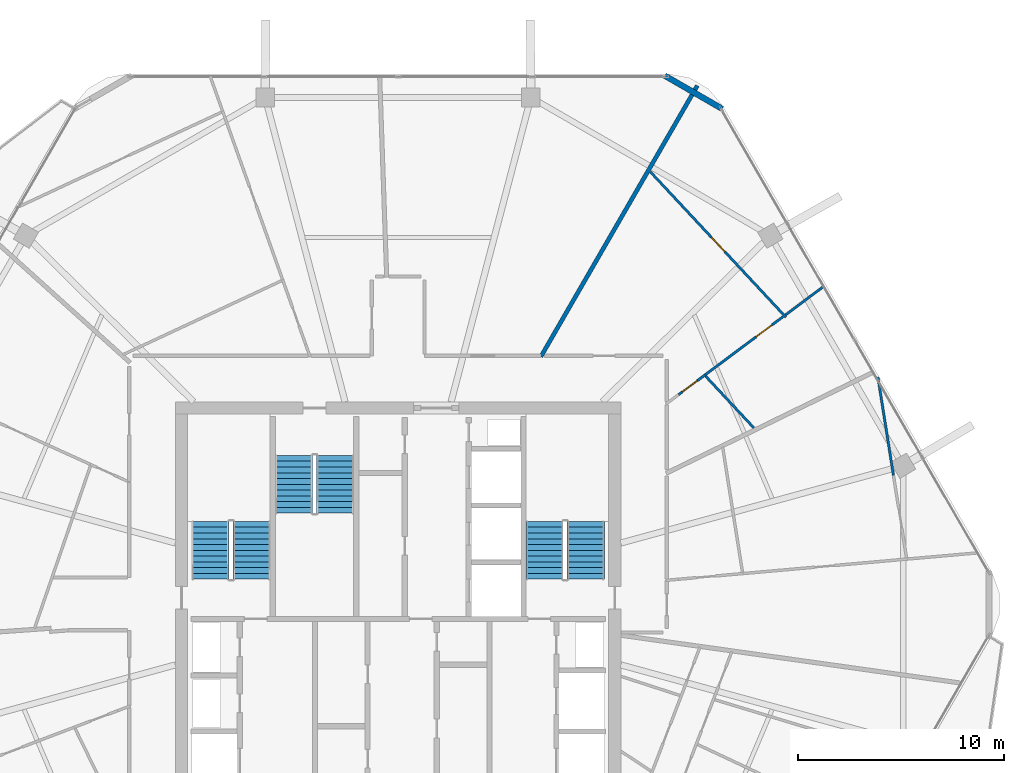
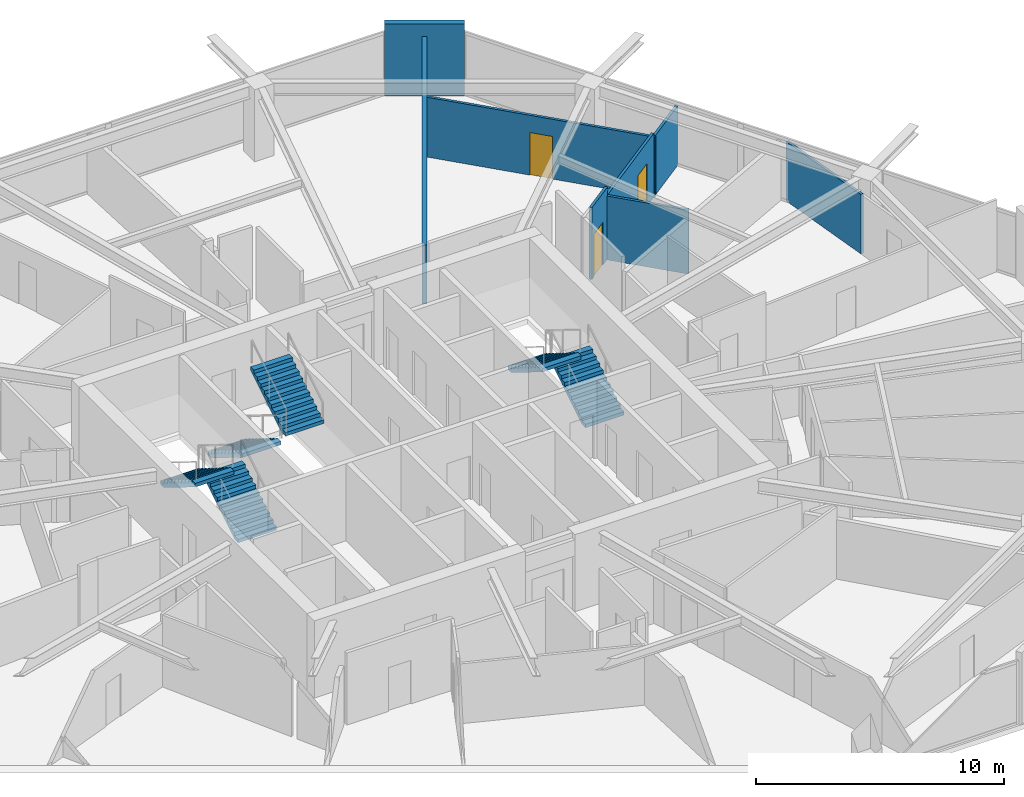
# One storey, part 22 of 25: 8 walls, 6 stair flights, 3 doors, 3 openings, 3 elements without a shape of their own.
"""IFC4 building model written with IfcOpenShell, lengths in metres."""

from ifc_helpers import new_model, si_unit, direction, frame, frame_2d, origin, place, context, subcontext, project, spatial, polyline, rectangle, outline, extrude, material, layer, layer_set, type_object, element, fill, aggregate, save


model = new_model("IFC4")

# Units and contexts
model_context = context("Model", 3, precision=1e-05, world=origin(), true_north=direction((0.0, 1.0)))
body_context = subcontext(model_context, "Body", "Model", "MODEL_VIEW")
ifc_project = project(units=[si_unit("LENGTHUNIT", "METRE"), si_unit("AREAUNIT", "SQUARE_METRE"), si_unit("VOLUMEUNIT", "CUBIC_METRE"), si_unit("PLANEANGLEUNIT", "RADIAN"), si_unit("MASSUNIT", "GRAM", prefix="KILO")], contexts=[model_context])

# Site, building, storey
site_placement = place(None, origin())
site = spatial("IfcSite", under=ifc_project, at=site_placement, CompositionType="ELEMENT")
building_placement = place(site_placement, origin())
building = spatial("IfcBuilding", under=site, at=building_placement, Name="Zuhravey Tower", CompositionType="ELEMENT")
storey_placement = place(building_placement, frame((0.0, 0.0, 235.0)))
storey = spatial("IfcBuildingStorey", under=building, at=storey_placement, Name="L59", CompositionType="ELEMENT", Elevation=235.0)

# Walls
ifc_material_1 = material(Name="Precast concrete C40/50", Category="concrete")
ifc_layer_1 = layer(ifc_material_1, 0.280029296875)
ifc_layer_set_1 = layer_set([ifc_layer_1], Name="Precast concrete C40/50")
wall_type_1 = type_object("IfcWallType", Name="Crown Architectural Wall 280", PredefinedType="SOLIDWALL", material=ifc_layer_set_1)
wall_1_placement = place(storey_placement, frame((48.930419921875, 57.611083984375, 0.0), z_axis=(0.0, 0.0, 1.0), x_axis=(0.866028773314, -0.499994163758, 0.0)))
element("IfcWall", 1, at=wall_1_placement, inside=storey, type_object=wall_type_1, Name="L59 Rounded Corner Closure Wall EW28-10", PredefinedType="SOLIDWALL", context=body_context, shape_type="SweptSolid", body=[
    extrude(rectangle(XDim=3.21484375, YDim=0.280029296875, at=frame_2d((1.607421875, 0.0))), origin(), (0.0, 0.0, 1.0), 3.550048828125),
])
ifc_material_2 = material(Name="Gypsum double-stud party assembly")
ifc_layer_2 = layer(ifc_material_2, 0.199951171875)
ifc_layer_set_2 = layer_set([ifc_layer_2], Name="Gypsum double-stud party assembly")
wall_type_2 = type_object("IfcWallType", Name="Inter-Tenancy Party Wall 200", PredefinedType="PARTITIONING", material=ifc_layer_set_2)
wall_2_placement = place(storey_placement, frame((42.92236328125, 43.989990234375, 0.0), z_axis=(0.0, 0.0, 1.0), x_axis=(0.500001103527, 0.866024766662, 0.0)))
element("IfcWall", 2, at=wall_2_placement, inside=storey, type_object=wall_type_2, Name="L59 IW20 Partition 093", PredefinedType="PARTITIONING", context=body_context, shape_type="SweptSolid", body=[
    extrude(rectangle(XDim=15.16845703125, YDim=0.199951171875, at=frame_2d((7.584228515625, 0.0))), origin(), (0.0, 0.0, 1.0), 2.929931640625),
])

# Wall, opening, door
ifc_material_3 = material(Name="Gypsum metal-stud partition")
ifc_layer_3 = layer(ifc_material_3, 0.1201171875)
ifc_layer_set_3 = layer_set([ifc_layer_3], Name="Gypsum metal-stud partition")
wall_type_3 = type_object("IfcWallType", Name="Unit Internal Partition 120", PredefinedType="PARTITIONING", material=ifc_layer_set_3)
wall_3_placement = place(storey_placement, frame((54.80029296875, 45.90380859375, 0.0), z_axis=(0.0, 0.0, 1.0), x_axis=(-0.68198067204, 0.731370195567, 0.0)))
wall_3 = element("IfcWall", 3, at=wall_3_placement, inside=storey, type_object=wall_type_3, Name="L59 IW12 Partition 048", PredefinedType="PARTITIONING", context=body_context, shape_type="SweptSolid", body=[
    extrude(rectangle(XDim=9.63916015625, YDim=0.1201171875, at=frame_2d((4.819580078125, 0.0))), origin(), (0.0, 0.0, 1.0), 2.949951171875),
])
opening_1_placement = place(wall_3_placement, frame((4.344482421875, 0.0, 0.0)))
opening_1 = element("IfcOpeningElement", 4, at=opening_1_placement, cuts=wall_3, Name="Opening IND1", PredefinedType="OPENING", context=body_context, shape_type="SweptSolid", body=[
    extrude(rectangle(XDim=0.949951171875, YDim=2.10009765625, at=frame_2d((0.47509765625, 1.050048828125))), frame((0.0, 0.072021484375, 0.0), z_axis=(0.0, -1.0, 0.0), x_axis=(1.0, 0.0, 0.0)), (0.0, 0.0, 1.0), 0.14404296875),
])
ifc_material_4 = material(Name="Painted engineered timber leaf", Category="wood")
door_type_1 = type_object("IfcDoorType", Name="Internal Room & Bedroom Door 950x2100", OperationType="NOTDEFINED", PredefinedType="DOOR", material=ifc_material_4)
door_1_placement = place(opening_1_placement, frame((0.949951171875, 0.0, 0.0), z_axis=(0.0, 0.0, 1.0), x_axis=(-1.0, 0.0, 0.0)))
door_1 = element("IfcDoor", 5, at=door_1_placement, inside=storey, type_object=door_type_1, Name="Apartment L59-08 Family Study Door", OperationType="SINGLE_SWING_RIGHT", OverallHeight=2.10009765625, OverallWidth=0.949951171875, PredefinedType="DOOR", context=body_context, shape_type="SweptSolid", body=[
    extrude(rectangle(XDim=0.949951171875, YDim=2.10009765625, at=frame_2d((0.47509765625, 1.050048828125))), frame((0.0, 0.02490234375, 0.0), z_axis=(0.0, -1.0, 0.0), x_axis=(1.0, 0.0, 0.0)), (0.0, 0.0, 1.0), 0.050048828125),
])
fill(opening_1, door_1)

wall_4_placement = place(storey_placement, frame((49.60009765625, 42.148193359375, 0.0), z_axis=(0.0, 0.0, 1.0), x_axis=(0.801441831829, 0.598072729854, 0.0)))
wall_4 = element("IfcWall", 6, at=wall_4_placement, inside=storey, type_object=wall_type_3, Name="L59 IW12 Partition 049", PredefinedType="PARTITIONING", context=body_context, shape_type="SweptSolid", body=[
    extrude(rectangle(XDim=1.6025390625, YDim=0.1201171875, at=frame_2d((0.80126953125, 0.0))), origin(), (0.0, 0.0, 1.0), 3.550048828125),
])
opening_2_placement = place(wall_4_placement, frame((0.22314453125, 0.0, 0.0)))
opening_2 = element("IfcOpeningElement", 7, at=opening_2_placement, cuts=wall_4, Name="Opening WCD1", PredefinedType="OPENING", context=body_context, shape_type="SweptSolid", body=[
    extrude(rectangle(XDim=0.89990234375, YDim=2.10009765625, at=frame_2d((0.449951171875, 1.050048828125))), frame((0.0, 0.072021484375, 0.0), z_axis=(0.0, -1.0, 0.0), x_axis=(1.0, 0.0, 0.0)), (0.0, 0.0, 1.0), 0.14404296875),
])
ifc_material_5 = material(Name="Moisture-resistant timber leaf", Category="wood")
door_type_2 = type_object("IfcDoorType", Name="Bathroom & WC Internal Door 900x2100", OperationType="NOTDEFINED", PredefinedType="DOOR", material=ifc_material_5)
door_2_placement = place(opening_2_placement, frame((0.89990234375, 0.0, 0.0), z_axis=(0.0, 0.0, 1.0), x_axis=(-1.0, 0.0, 0.0)))
door_2 = element("IfcDoor", 8, at=door_2_placement, inside=storey, type_object=door_type_2, Name="Apartment L59-08 Bathroom Door", OperationType="SINGLE_SWING_LEFT", OverallHeight=2.10009765625, OverallWidth=0.89990234375, PredefinedType="DOOR", context=body_context, shape_type="SweptSolid", body=[
    extrude(rectangle(XDim=0.89990234375, YDim=2.10009765625, at=frame_2d((0.449951171875, 1.050048828125))), frame((0.0, 0.02490234375, 0.0), z_axis=(0.0, -1.0, 0.0), x_axis=(1.0, 0.0, 0.0)), (0.0, 0.0, 1.0), 0.050048828125),
])
fill(opening_2, door_2)

wall_5_placement = place(storey_placement, frame((50.884521484375, 43.106689453125, 0.0), z_axis=(0.0, 0.0, 1.0), x_axis=(0.801471130314, 0.598033466684, 0.0)))
wall_5 = element("IfcWall", 9, at=wall_5_placement, inside=storey, type_object=wall_type_3, Name="L59 IW12 Partition 050", PredefinedType="PARTITIONING", context=body_context, shape_type="SweptSolid", body=[
    extrude(rectangle(XDim=4.73193359375, YDim=0.1201171875, at=frame_2d((2.365966796875, 0.0))), origin(), (0.0, 0.0, 1.0), 3.14990234375),
])
opening_3_placement = place(wall_5_placement, frame((3.087158203125, 0.0, 0.0)))
opening_3 = element("IfcOpeningElement", 10, at=opening_3_placement, cuts=wall_5, Name="Opening IND1", PredefinedType="OPENING", context=body_context, shape_type="SweptSolid", body=[
    extrude(rectangle(XDim=0.949951171875, YDim=2.10009765625, at=frame_2d((0.47509765625, 1.050048828125))), frame((0.0, 0.072021484375, 0.0), z_axis=(0.0, -1.0, 0.0), x_axis=(1.0, 0.0, 0.0)), (0.0, 0.0, 1.0), 0.14404296875),
])
door_3_placement = place(opening_3_placement, frame((0.949951171875, 0.0, 0.0), z_axis=(0.0, 0.0, 1.0), x_axis=(-1.0, 0.0, 0.0)))
door_3 = element("IfcDoor", 11, at=door_3_placement, inside=storey, type_object=door_type_1, Name="Apartment L59-08 Bedroom 1 Door", OperationType="SINGLE_SWING_RIGHT", OverallHeight=2.10009765625, OverallWidth=0.949951171875, PredefinedType="DOOR", context=body_context, shape_type="SweptSolid", body=[
    extrude(rectangle(XDim=0.949951171875, YDim=2.10009765625, at=frame_2d((0.47509765625, 1.050048828125))), frame((0.0, 0.02490234375, 0.0), z_axis=(0.0, -1.0, 0.0), x_axis=(1.0, 0.0, 0.0)), (0.0, 0.0, 1.0), 0.050048828125),
])
fill(opening_3, door_3)

# Walls
wall_6_placement = place(storey_placement, frame((54.78662109375, 46.018310546875, 0.0), z_axis=(0.0, 0.0, 1.0), x_axis=(0.801420991662, 0.598100655511, 0.0)))
element("IfcWall", 12, at=wall_6_placement, inside=storey, type_object=wall_type_3, Name="L59 IW12 Partition 051", PredefinedType="PARTITIONING", context=body_context, shape_type="SweptSolid", body=[
    extrude(rectangle(XDim=2.305419921875, YDim=0.1201171875, at=frame_2d((1.15283203125, 0.0))), origin(), (0.0, 0.0, 1.0), 2.929931640625),
])
wall_7_placement = place(storey_placement, frame((60.014404296875, 38.239501953125, 0.0), z_axis=(0.0, 0.0, 1.0), x_axis=(-0.15641529171, 0.987691377162, 0.0)))
element("IfcWall", 13, at=wall_7_placement, inside=storey, type_object=wall_type_3, Name="L59 IW12 Partition 089", PredefinedType="PARTITIONING", context=body_context, shape_type="SweptSolid", body=[
    extrude(rectangle(XDim=4.818359375, YDim=0.1201171875, at=frame_2d((2.4091796875, 0.0))), origin(), (0.0, 0.0, 1.0), 2.929931640625),
])
wall_8_placement = place(storey_placement, frame((53.249755859375, 40.533447265625, 0.0), z_axis=(0.0, 0.0, 1.0), x_axis=(-0.682008737139, 0.731344024701, 0.0)))
element("IfcWall", 14, at=wall_8_placement, inside=storey, type_object=wall_type_3, Name="L59 IW12 Partition 092", PredefinedType="PARTITIONING", context=body_context, shape_type="SweptSolid", body=[
    extrude(rectangle(XDim=3.429443359375, YDim=0.1201171875, at=frame_2d((1.71484375, 0.0))), origin(), (0.0, 0.0, 1.0), 3.14990234375),
])

# Stair, stair flights
ifc_material_6 = material(Name="Concrete C40/50", Category="concrete")
stair_type = type_object("IfcStairType", Name="Housing Storey Stair Assembly 3800", PredefinedType="HALF_TURN_STAIR", material=ifc_material_6)
stair_1_placement = place(storey_placement, origin())
stair_1 = element("IfcStair", 15, at=stair_1_placement, inside=storey, type_object=stair_type, Name="L59 Core Exit Stair ST1", PredefinedType="HALF_TURN_STAIR")
stair_flight_type = type_object("IfcStairFlightType", Name="Housing Storey Stair Flight 3800", PredefinedType="STRAIGHT", material=ifc_material_6)
stair_flight_1_placement = place(storey_placement, frame((28.89990234375, 33.199951171875, 0.0), z_axis=(0.0, 0.0, 1.0), x_axis=(0.0, 1.0, 0.0)))
stair_flight_1 = element("IfcStairFlight", 16, at=stair_flight_1_placement, type_object=stair_flight_type, Name="ST1 flight 1", NumberOfRisers=11, NumberOfTreads=10, PredefinedType="STRAIGHT", RiserHeight=0.172727273, TreadLength=0.28, context=body_context, shape_type="SweptSolid", body=[
    extrude(outline(polyline([(0.0, 0.0), (0.0, 0.172607421875), (0.280029296875, 0.172607421875), (0.280029296875, 0.345458984375), (0.56005859375, 0.345458984375), (0.56005859375, 0.51806640625), (0.840087890625, 0.51806640625), (0.840087890625, 0.69091796875), (1.1201171875, 0.69091796875), (1.1201171875, 0.863525390625), (1.39990234375, 0.863525390625), (1.39990234375, 1.036376953125), (1.679931640625, 1.036376953125), (1.679931640625, 1.208984375), (1.9599609375, 1.208984375), (1.9599609375, 1.3818359375), (2.239990234375, 1.3818359375), (2.239990234375, 1.554443359375), (2.52001953125, 1.554443359375), (2.52001953125, 1.727294921875), (2.800048828125, 1.727294921875), (2.800048828125, 1.89990234375), (2.800048828125, 1.551025390625), (0.285400390625, 0.0), (0.0, 0.0)])), frame((0.0, 0.89990234375, 0.0), z_axis=(0.0, -1.0, 0.0), x_axis=(1.0, 0.0, 0.0)), (0.0, 0.0, 1.0), 1.800048828125),
])
stair_flight_2_placement = place(storey_placement, frame((26.89990234375, 36.0, 1.89990234375), z_axis=(0.0, 0.0, 1.0), x_axis=(0.0, -1.0, 0.0)))
stair_flight_2 = element("IfcStairFlight", 17, at=stair_flight_2_placement, type_object=stair_flight_type, Name="ST1 flight 2", NumberOfRisers=11, NumberOfTreads=10, PredefinedType="STRAIGHT", RiserHeight=0.172727273, TreadLength=0.28, context=body_context, shape_type="SweptSolid", body=[
    extrude(outline(polyline([(0.0, 0.0), (0.0, 0.172607421875), (0.280029296875, 0.172607421875), (0.280029296875, 0.345458984375), (0.56005859375, 0.345458984375), (0.56005859375, 0.51806640625), (0.840087890625, 0.51806640625), (0.840087890625, 0.69091796875), (1.1201171875, 0.69091796875), (1.1201171875, 0.863525390625), (1.39990234375, 0.863525390625), (1.39990234375, 1.036376953125), (1.679931640625, 1.036376953125), (1.679931640625, 1.208984375), (1.9599609375, 1.208984375), (1.9599609375, 1.3818359375), (2.239990234375, 1.3818359375), (2.239990234375, 1.554443359375), (2.52001953125, 1.554443359375), (2.52001953125, 1.727294921875), (2.800048828125, 1.727294921875), (2.800048828125, 1.89990234375), (2.800048828125, 1.551025390625), (0.285400390625, 0.0), (0.0, 0.0)])), frame((0.0, 0.89990234375, 0.0), z_axis=(0.0, -1.0, 0.0), x_axis=(1.0, 0.0, 0.0)), (0.0, 0.0, 1.0), 1.800048828125),
])
aggregate(stair_1, [stair_flight_1, stair_flight_2])

stair_2_placement = place(storey_placement, origin())
stair_2 = element("IfcStair", 18, at=stair_2_placement, inside=storey, type_object=stair_type, Name="L59 Core Exit Stair ST2", PredefinedType="HALF_TURN_STAIR")
stair_flight_3_placement = place(storey_placement, frame((45.10009765625, 33.199951171875, 0.0), z_axis=(0.0, 0.0, 1.0), x_axis=(0.0, 1.0, 0.0)))
stair_flight_3 = element("IfcStairFlight", 19, at=stair_flight_3_placement, type_object=stair_flight_type, Name="ST2 flight 1", NumberOfRisers=11, NumberOfTreads=10, PredefinedType="STRAIGHT", RiserHeight=0.172727273, TreadLength=0.28, context=body_context, shape_type="SweptSolid", body=[
    extrude(outline(polyline([(0.0, 0.0), (0.0, 0.172607421875), (0.280029296875, 0.172607421875), (0.280029296875, 0.345458984375), (0.56005859375, 0.345458984375), (0.56005859375, 0.51806640625), (0.840087890625, 0.51806640625), (0.840087890625, 0.69091796875), (1.1201171875, 0.69091796875), (1.1201171875, 0.863525390625), (1.39990234375, 0.863525390625), (1.39990234375, 1.036376953125), (1.679931640625, 1.036376953125), (1.679931640625, 1.208984375), (1.9599609375, 1.208984375), (1.9599609375, 1.3818359375), (2.239990234375, 1.3818359375), (2.239990234375, 1.554443359375), (2.52001953125, 1.554443359375), (2.52001953125, 1.727294921875), (2.800048828125, 1.727294921875), (2.800048828125, 1.89990234375), (2.800048828125, 1.551025390625), (0.285400390625, 0.0), (0.0, 0.0)])), frame((0.0, 0.89990234375, 0.0), z_axis=(0.0, -1.0, 0.0), x_axis=(1.0, 0.0, 0.0)), (0.0, 0.0, 1.0), 1.800048828125),
])
stair_flight_4_placement = place(storey_placement, frame((43.10009765625, 36.0, 1.89990234375), z_axis=(0.0, 0.0, 1.0), x_axis=(0.0, -1.0, 0.0)))
stair_flight_4 = element("IfcStairFlight", 20, at=stair_flight_4_placement, type_object=stair_flight_type, Name="ST2 flight 2", NumberOfRisers=11, NumberOfTreads=10, PredefinedType="STRAIGHT", RiserHeight=0.172727273, TreadLength=0.28, context=body_context, shape_type="SweptSolid", body=[
    extrude(outline(polyline([(0.0, 0.0), (0.0, 0.172607421875), (0.280029296875, 0.172607421875), (0.280029296875, 0.345458984375), (0.56005859375, 0.345458984375), (0.56005859375, 0.51806640625), (0.840087890625, 0.51806640625), (0.840087890625, 0.69091796875), (1.1201171875, 0.69091796875), (1.1201171875, 0.863525390625), (1.39990234375, 0.863525390625), (1.39990234375, 1.036376953125), (1.679931640625, 1.036376953125), (1.679931640625, 1.208984375), (1.9599609375, 1.208984375), (1.9599609375, 1.3818359375), (2.239990234375, 1.3818359375), (2.239990234375, 1.554443359375), (2.52001953125, 1.554443359375), (2.52001953125, 1.727294921875), (2.800048828125, 1.727294921875), (2.800048828125, 1.89990234375), (2.800048828125, 1.551025390625), (0.285400390625, 0.0), (0.0, 0.0)])), frame((0.0, 0.89990234375, 0.0), z_axis=(0.0, -1.0, 0.0), x_axis=(1.0, 0.0, 0.0)), (0.0, 0.0, 1.0), 1.800048828125),
])
aggregate(stair_2, [stair_flight_3, stair_flight_4])

stair_3_placement = place(storey_placement, origin())
stair_3 = element("IfcStair", 21, at=stair_3_placement, inside=storey, type_object=stair_type, Name="L59 Core Exit Stair ST3", PredefinedType="HALF_TURN_STAIR")
stair_flight_5_placement = place(storey_placement, frame((30.949951171875, 39.199951171875, 0.0), z_axis=(0.0, 0.0, 1.0), x_axis=(0.0, -1.0, 0.0)))
stair_flight_5 = element("IfcStairFlight", 22, at=stair_flight_5_placement, type_object=stair_flight_type, Name="ST3 flight 1", NumberOfRisers=11, NumberOfTreads=10, PredefinedType="STRAIGHT", RiserHeight=0.172727273, TreadLength=0.28, context=body_context, shape_type="SweptSolid", body=[
    extrude(outline(polyline([(0.0, 0.0), (0.0, 0.172607421875), (0.280029296875, 0.172607421875), (0.280029296875, 0.345458984375), (0.56005859375, 0.345458984375), (0.56005859375, 0.51806640625), (0.840087890625, 0.51806640625), (0.840087890625, 0.69091796875), (1.1201171875, 0.69091796875), (1.1201171875, 0.863525390625), (1.39990234375, 0.863525390625), (1.39990234375, 1.036376953125), (1.679931640625, 1.036376953125), (1.679931640625, 1.208984375), (1.9599609375, 1.208984375), (1.9599609375, 1.3818359375), (2.239990234375, 1.3818359375), (2.239990234375, 1.554443359375), (2.52001953125, 1.554443359375), (2.52001953125, 1.727294921875), (2.800048828125, 1.727294921875), (2.800048828125, 1.89990234375), (2.800048828125, 1.551025390625), (0.285400390625, 0.0), (0.0, 0.0)])), frame((0.0, 0.89990234375, 0.0), z_axis=(0.0, -1.0, 0.0), x_axis=(1.0, 0.0, 0.0)), (0.0, 0.0, 1.0), 1.800048828125),
])
stair_flight_6_placement = place(storey_placement, frame((32.949951171875, 36.39990234375, 1.89990234375), z_axis=(0.0, 0.0, 1.0), x_axis=(0.0, 1.0, 0.0)))
stair_flight_6 = element("IfcStairFlight", 23, at=stair_flight_6_placement, type_object=stair_flight_type, Name="ST3 flight 2", NumberOfRisers=11, NumberOfTreads=10, PredefinedType="STRAIGHT", RiserHeight=0.172727273, TreadLength=0.28, context=body_context, shape_type="SweptSolid", body=[
    extrude(outline(polyline([(0.0, 0.0), (0.0, 0.172607421875), (0.280029296875, 0.172607421875), (0.280029296875, 0.345458984375), (0.56005859375, 0.345458984375), (0.56005859375, 0.51806640625), (0.840087890625, 0.51806640625), (0.840087890625, 0.69091796875), (1.1201171875, 0.69091796875), (1.1201171875, 0.863525390625), (1.39990234375, 0.863525390625), (1.39990234375, 1.036376953125), (1.679931640625, 1.036376953125), (1.679931640625, 1.208984375), (1.9599609375, 1.208984375), (1.9599609375, 1.3818359375), (2.239990234375, 1.3818359375), (2.239990234375, 1.554443359375), (2.52001953125, 1.554443359375), (2.52001953125, 1.727294921875), (2.800048828125, 1.727294921875), (2.800048828125, 1.89990234375), (2.800048828125, 1.551025390625), (0.285400390625, 0.0), (0.0, 0.0)])), frame((0.0, 0.89990234375, 0.0), z_axis=(0.0, -1.0, 0.0), x_axis=(1.0, 0.0, 0.0)), (0.0, 0.0, 1.0), 1.800048828125),
])
aggregate(stair_3, [stair_flight_5, stair_flight_6])

save(model, "model.ifc")
